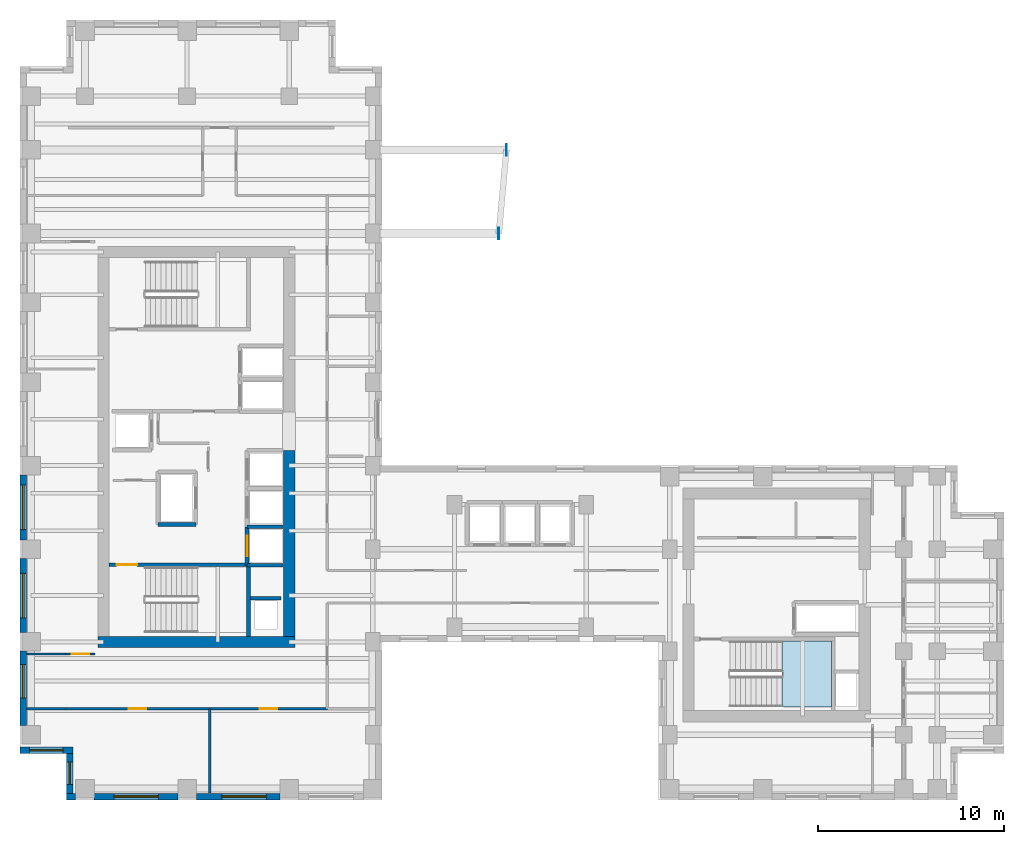
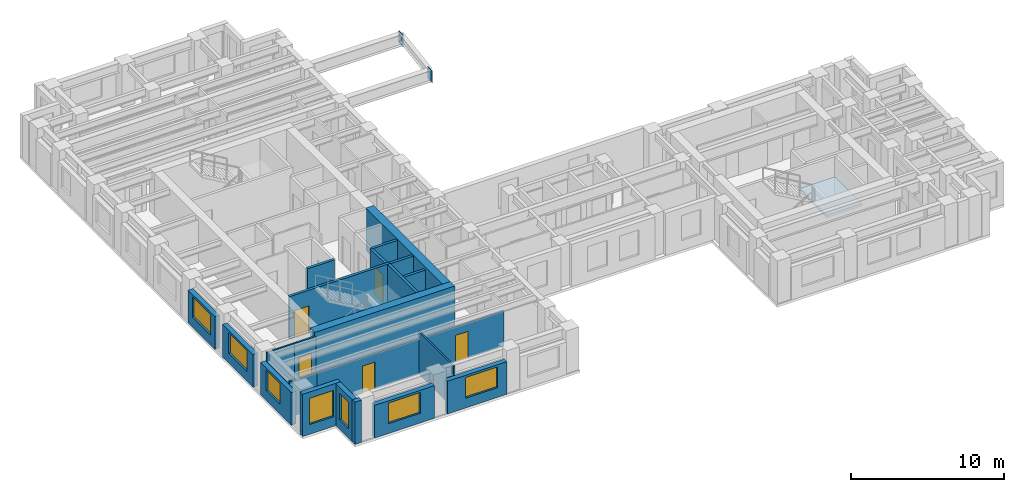
# One storey, part 5 of 13: 23 walls, 7 windows, 5 doors, 2 plates, 1 slab, 12 openings, 1 element without a shape of its own.
"""IFC4 building model written with IfcOpenShell, lengths in metres."""

from ifc_helpers import new_model, si_unit, direction, frame, frame_2d, origin, origin_2d, place, context, subcontext, project, spatial, polyline, rectangle, outline, extrude, source, transform, mapped, material, layer, layer_set, type_object, element, fill, aggregate, save


model = new_model("IFC4")

# Units and contexts
model_context = context("Model", 3, precision=1e-05, world=origin(), true_north=direction((0.0, 1.0)))
body_context = subcontext(model_context, "Body", "Model", "MODEL_VIEW")
ifc_project = project(units=[si_unit("LENGTHUNIT", "METRE"), si_unit("AREAUNIT", "SQUARE_METRE"), si_unit("VOLUMEUNIT", "CUBIC_METRE"), si_unit("PLANEANGLEUNIT", "RADIAN"), si_unit("MASSUNIT", "GRAM", prefix="KILO")], contexts=[model_context])

# Site, building, storey
site_placement = place(None, origin())
site = spatial("IfcSite", under=ifc_project, at=site_placement, CompositionType="ELEMENT")
building_placement = place(site_placement, origin())
building = spatial("IfcBuilding", under=site, at=building_placement, Name="Kharzan Plaza Tower", CompositionType="ELEMENT")
storey_placement = place(building_placement, frame((0.0, 0.0, 153.89990234375)))
storey = spatial("IfcBuildingStorey", under=building, at=storey_placement, Name="L41", CompositionType="ELEMENT", Elevation=153.89990234375)

# Stair, slab
ifc_material_1 = material(Name="Concrete C40/50", Category="concrete")
stair_type = type_object("IfcStairType", Name="STR-ST-3", PredefinedType="HALF_TURN_STAIR", material=ifc_material_1)
stair_placement = place(storey_placement, origin())
stair = element("IfcStair", 1, at=stair_placement, inside=storey, type_object=stair_type, Name="L41 Protected Exit Stair ST-3", PredefinedType="HALF_TURN_STAIR")
ifc_layer_1 = layer(ifc_material_1, 0.219970703125)
ifc_layer_set_1 = layer_set([ifc_layer_1], Name="Concrete C40/50")
slab_type = type_object("IfcSlabType", Name="SL-LANDING-220", PredefinedType="LANDING", material=ifc_layer_set_1)
slab_placement = place(storey_placement, frame((0.0, 0.0, 1.60009765625)))
slab = element("IfcSlab", 2, at=slab_placement, type_object=slab_type, Name="ST-3 landing 1", PredefinedType="LANDING", context=body_context, shape_type="SweptSolid", body=[
    extrude(outline(polyline([(41.050048828125, 5.0), (43.699951171875, 5.0), (43.699951171875, 8.550048828125), (41.050048828125, 8.550048828125), (41.050048828125, 5.0)])), origin(), (0.0, 0.0, 1.0), 0.199951171875),
])
aggregate(stair, [slab])

# Plates
ifc_material_2 = material(Name="Steel S460", Category="steel")
ifc_layer_2 = layer(ifc_material_2, 0.0419921875)
ifc_layer_set_2 = layer_set([ifc_layer_2], Name="Steel S460")
plate_type = type_object("IfcPlateType", Name="PLT-ZTN1", PredefinedType="USERDEFINED", material=ifc_layer_set_2)
shared_shape_1 = source(origin(), body_context, "Body", "SweptSolid", [
    extrude(rectangle(XDim=0.60009765625, YDim=0.0419921875, at=origin_2d()), origin(), (0.0, 0.0, 1.0), 0.949951171875),
])
for number, where, z_axis, x_axis, name in (
    (3, (25.7900390625, 30.5, 2.44140625), (0.0, 0.0, 1.0), (0.0, 1.0, 0.0), "L41 Sky-Terrace Cantilever Tip Plate ZTN1"),
    (4, (26.199951171875, 35.0, 2.44140625), (0.0, 0.0, 1.0), (0.0, 1.0, 0.0), "L41 Sky-Terrace Cantilever Tip Plate ZTN1"),
):
    element("IfcPlate", number, at=place(storey_placement, frame(where, z_axis=z_axis, x_axis=x_axis)), inside=storey, type_object=plate_type, Name=name, ObjectType="FLANGE_PLATE", PredefinedType="USERDEFINED", context=body_context, shape_type="MappedRepresentation", body=[
        mapped(shared_shape_1, transform((0.0, 0.0, 0.0), x_axis=(1.0, 0.0, 0.0), y_axis=(0.0, 1.0, 0.0), z_axis=(0.0, 0.0, 1.0))),
    ])

# Wall, opening, window
ifc_layer_3 = layer(ifc_material_1, 0.35009765625)
ifc_layer_set_3 = layer_set([ifc_layer_3], Name="Concrete C40/50")
wall_type_1 = type_object("IfcWallType", Name="WL-EXT-MAS-Z3", PredefinedType="SOLIDWALL", material=ifc_layer_set_3)
wall_1_placement = place(storey_placement, frame((0.175048828125, 17.501953125, 0.0), z_axis=(0.0, 0.0, 1.0), x_axis=(0.0, -1.0, 0.0)))
wall_1 = element("IfcWall", 5, at=wall_1_placement, inside=storey, type_object=wall_type_1, Name="L41 Masonry-Frame Exterior Wall 15", PredefinedType="SOLIDWALL", context=body_context, shape_type="SweptSolid", body=[
    extrude(rectangle(XDim=3.50390625, YDim=0.35009765625, at=frame_2d((1.751953125, 0.0))), origin(), (0.0, 0.0, 1.0), 2.612060546875),
])
opening_1_placement = place(wall_1_placement, frame((0.552001953125, 0.0, 0.780029296875)))
opening_1 = element("IfcOpeningElement", 6, at=opening_1_placement, cuts=wall_1, Name="Opening W2", PredefinedType="OPENING", context=body_context, shape_type="SweptSolid", body=[
    extrude(rectangle(XDim=2.39990234375, YDim=1.652099609375, at=frame_2d((1.199951171875, 0.826171875))), frame((0.0, 0.18505859375, 0.0), z_axis=(0.0, -1.0, 0.0), x_axis=(1.0, 0.0, 0.0)), (0.0, 0.0, 1.0), 0.3701171875),
])
ifc_material_3 = material(Name="Low-E Double Glazing", Category="glass")
window_type_1 = type_object("IfcWindowType", Name="WN-REC-2400x2100", PartitioningType="SINGLE_PANEL", PredefinedType="WINDOW", material=ifc_material_3)
shared_shape_2 = source(origin(), body_context, "Body", "SweptSolid", [
    extrude(rectangle(XDim=2.39990234375, YDim=1.652099609375, at=frame_2d((1.199951171875, 0.826171875))), frame((0.0, 0.030029296875, 0.0), z_axis=(0.0, -1.0, 0.0), x_axis=(1.0, 0.0, 0.0)), (0.0, 0.0, 1.0), 0.06005859375),
])
window_1_placement = place(opening_1_placement, origin())
window_1 = element("IfcWindow", 7, at=window_1_placement, inside=storey, type_object=window_type_1, Name="L41 Wide Recessed Solar-Control Window 15-1", OverallHeight=1.652099609375, OverallWidth=2.39990234375, PartitioningType="SINGLE_PANEL", PredefinedType="WINDOW", context=body_context, shape_type="MappedRepresentation", body=[
    mapped(shared_shape_2, transform((0.0, 0.0, 0.0), x_axis=(1.0, 0.0, 0.0), y_axis=(0.0, 1.0, 0.0), z_axis=(0.0, 0.0, 1.0))),
])
fill(opening_1, window_1)

wall_2_placement = place(storey_placement, frame((0.175048828125, 13.001953125, 0.0), z_axis=(0.0, 0.0, 1.0), x_axis=(0.0, -1.0, 0.0)))
wall_2 = element("IfcWall", 8, at=wall_2_placement, inside=storey, type_object=wall_type_1, Name="L41 Masonry-Frame Exterior Wall 16", PredefinedType="SOLIDWALL", context=body_context, shape_type="SweptSolid", body=[
    extrude(rectangle(XDim=4.00390625, YDim=0.35009765625, at=frame_2d((2.001953125, 0.0))), origin(), (0.0, 0.0, 1.0), 2.612060546875),
])
opening_2_placement = place(wall_2_placement, frame((0.802001953125, 0.0, 0.780029296875)))
opening_2 = element("IfcOpeningElement", 9, at=opening_2_placement, cuts=wall_2, Name="Opening W2", PredefinedType="OPENING", context=body_context, shape_type="SweptSolid", body=[
    extrude(rectangle(XDim=2.39990234375, YDim=1.652099609375, at=frame_2d((1.199951171875, 0.826171875))), frame((0.0, 0.18505859375, 0.0), z_axis=(0.0, -1.0, 0.0), x_axis=(1.0, 0.0, 0.0)), (0.0, 0.0, 1.0), 0.3701171875),
])
window_2_placement = place(opening_2_placement, origin())
window_2 = element("IfcWindow", 10, at=window_2_placement, inside=storey, type_object=window_type_1, Name="L41 Wide Recessed Solar-Control Window 16-1", OverallHeight=1.652099609375, OverallWidth=2.39990234375, PartitioningType="SINGLE_PANEL", PredefinedType="WINDOW", context=body_context, shape_type="MappedRepresentation", body=[
    mapped(shared_shape_2, transform((0.0, 0.0, 0.0), x_axis=(1.0, 0.0, 0.0), y_axis=(0.0, 1.0, 0.0), z_axis=(0.0, 0.0, 1.0))),
])
fill(opening_2, window_2)

wall_3_placement = place(storey_placement, frame((0.175048828125, 8.001953125, 0.0), z_axis=(0.0, 0.0, 1.0), x_axis=(0.0, -1.0, 0.0)))
wall_3 = element("IfcWall", 11, at=wall_3_placement, inside=storey, type_object=wall_type_1, Name="L41 Masonry-Frame Exterior Wall 17", PredefinedType="SOLIDWALL", context=body_context, shape_type="SweptSolid", body=[
    extrude(rectangle(XDim=4.00390625, YDim=0.35009765625, at=frame_2d((2.001953125, 0.0))), origin(), (0.0, 0.0, 1.0), 2.612060546875),
])
opening_3_placement = place(wall_3_placement, frame((0.72705078125, 0.0, 0.780029296875)))
opening_3 = element("IfcOpeningElement", 12, at=opening_3_placement, cuts=wall_3, Name="Opening W1", PredefinedType="OPENING", context=body_context, shape_type="SweptSolid", body=[
    extrude(rectangle(XDim=1.800048828125, YDim=1.652099609375, at=frame_2d((0.89990234375, 0.826171875))), frame((0.0, 0.18505859375, 0.0), z_axis=(0.0, -1.0, 0.0), x_axis=(1.0, 0.0, 0.0)), (0.0, 0.0, 1.0), 0.3701171875),
])
window_type_2 = type_object("IfcWindowType", Name="WN-REC-1800x2100", PartitioningType="SINGLE_PANEL", PredefinedType="WINDOW", material=ifc_material_3)
shared_shape_3 = source(origin(), body_context, "Body", "SweptSolid", [
    extrude(rectangle(XDim=1.800048828125, YDim=1.652099609375, at=frame_2d((0.89990234375, 0.826171875))), frame((0.0, 0.030029296875, 0.0), z_axis=(0.0, -1.0, 0.0), x_axis=(1.0, 0.0, 0.0)), (0.0, 0.0, 1.0), 0.06005859375),
])
window_3_placement = place(opening_3_placement, origin())
window_3 = element("IfcWindow", 13, at=window_3_placement, inside=storey, type_object=window_type_2, Name="L41 Recessed Solar-Control Window 17-1", OverallHeight=1.652099609375, OverallWidth=1.800048828125, PartitioningType="SINGLE_PANEL", PredefinedType="WINDOW", context=body_context, shape_type="MappedRepresentation", body=[
    mapped(shared_shape_3, transform((0.0, 0.0, 0.0), x_axis=(1.0, 0.0, 0.0), y_axis=(0.0, 1.0, 0.0), z_axis=(0.0, 0.0, 1.0))),
])
fill(opening_3, window_3)

wall_4_placement = place(storey_placement, frame((0.0, 2.675048828125, 0.0), z_axis=(0.0, 0.0, 1.0), x_axis=(1.0, 0.0, 0.0)))
wall_4 = element("IfcWall", 14, at=wall_4_placement, inside=storey, type_object=wall_type_1, Name="L41 Masonry-Frame Exterior Wall 18", PredefinedType="SOLIDWALL", context=body_context, shape_type="SweptSolid", body=[
    extrude(rectangle(XDim=2.85009765625, YDim=0.35009765625, at=frame_2d((1.425048828125, 0.0))), origin(), (0.0, 0.0, 1.0), 3.385009765625),
])
opening_4_placement = place(wall_4_placement, frame((0.52490234375, 0.0, 0.780029296875)))
opening_4 = element("IfcOpeningElement", 15, at=opening_4_placement, cuts=wall_4, Name="Opening W1", PredefinedType="OPENING", context=body_context, shape_type="SweptSolid", body=[
    extrude(rectangle(XDim=1.800048828125, YDim=2.10009765625, at=frame_2d((0.89990234375, 1.050048828125))), frame((0.0, 0.18505859375, 0.0), z_axis=(0.0, -1.0, 0.0), x_axis=(1.0, 0.0, 0.0)), (0.0, 0.0, 1.0), 0.3701171875),
])
shared_shape_4 = source(origin(), body_context, "Body", "SweptSolid", [
    extrude(rectangle(XDim=1.800048828125, YDim=2.10009765625, at=frame_2d((0.89990234375, 1.050048828125))), frame((0.0, 0.030029296875, 0.0), z_axis=(0.0, -1.0, 0.0), x_axis=(1.0, 0.0, 0.0)), (0.0, 0.0, 1.0), 0.06005859375),
])
window_4_placement = place(opening_4_placement, origin())
window_4 = element("IfcWindow", 16, at=window_4_placement, inside=storey, type_object=window_type_2, Name="L41 Recessed Solar-Control Window 18-1", OverallHeight=2.10009765625, OverallWidth=1.800048828125, PartitioningType="SINGLE_PANEL", PredefinedType="WINDOW", context=body_context, shape_type="MappedRepresentation", body=[
    mapped(shared_shape_4, transform((0.0, 0.0, 0.0), x_axis=(1.0, 0.0, 0.0), y_axis=(0.0, 1.0, 0.0), z_axis=(0.0, 0.0, 1.0))),
])
fill(opening_4, window_4)

wall_5_placement = place(storey_placement, frame((2.675048828125, 2.501953125, 0.0), z_axis=(0.0, 0.0, 1.0), x_axis=(0.0, -1.0, 0.0)))
wall_5 = element("IfcWall", 17, at=wall_5_placement, inside=storey, type_object=wall_type_1, Name="L41 Masonry-Frame Exterior Wall 19", PredefinedType="SOLIDWALL", context=body_context, shape_type="SweptSolid", body=[
    extrude(rectangle(XDim=2.154052734375, YDim=0.35009765625, at=frame_2d((1.0771484375, 0.0))), origin(), (0.0, 0.0, 1.0), 3.385009765625),
])
opening_5_placement = place(wall_5_placement, frame((0.47705078125, 0.0, 0.780029296875)))
opening_5 = element("IfcOpeningElement", 18, at=opening_5_placement, cuts=wall_5, Name="Opening W3", PredefinedType="OPENING", context=body_context, shape_type="SweptSolid", body=[
    extrude(rectangle(XDim=1.199951171875, YDim=2.10009765625, at=frame_2d((0.60009765625, 1.050048828125))), frame((0.0, 0.18505859375, 0.0), z_axis=(0.0, -1.0, 0.0), x_axis=(1.0, 0.0, 0.0)), (0.0, 0.0, 1.0), 0.3701171875),
])
window_type_3 = type_object("IfcWindowType", Name="WN-REC-1200x2100", PartitioningType="SINGLE_PANEL", PredefinedType="WINDOW", material=ifc_material_3)
shared_shape_5 = source(origin(), body_context, "Body", "SweptSolid", [
    extrude(rectangle(XDim=1.199951171875, YDim=2.10009765625, at=frame_2d((0.60009765625, 1.050048828125))), frame((0.0, 0.030029296875, 0.0), z_axis=(0.0, -1.0, 0.0), x_axis=(1.0, 0.0, 0.0)), (0.0, 0.0, 1.0), 0.06005859375),
])
window_5_placement = place(opening_5_placement, origin())
window_5 = element("IfcWindow", 19, at=window_5_placement, inside=storey, type_object=window_type_3, Name="L41 Recessed Solar-Control Window 19-1", OverallHeight=2.10009765625, OverallWidth=1.199951171875, PartitioningType="SINGLE_PANEL", PredefinedType="WINDOW", context=body_context, shape_type="MappedRepresentation", body=[
    mapped(shared_shape_5, transform((0.0, 0.0, 0.0), x_axis=(1.0, 0.0, 0.0), y_axis=(0.0, 1.0, 0.0), z_axis=(0.0, 0.0, 1.0))),
])
fill(opening_5, window_5)

wall_6_placement = place(storey_placement, frame((3.998046875, 0.175048828125, 0.0), z_axis=(0.0, 0.0, 1.0), x_axis=(1.0, 0.0, 0.0)))
wall_6 = element("IfcWall", 20, at=wall_6_placement, inside=storey, type_object=wall_type_1, Name="L41 Masonry-Frame Exterior Wall 21", PredefinedType="SOLIDWALL", context=body_context, shape_type="SweptSolid", body=[
    extrude(rectangle(XDim=4.50390625, YDim=0.35009765625, at=frame_2d((2.251953125, 0.0))), origin(), (0.0, 0.0, 1.0), 2.612060546875),
])
opening_6_placement = place(wall_6_placement, frame((1.052001953125, 0.0, 0.780029296875)))
opening_6 = element("IfcOpeningElement", 21, at=opening_6_placement, cuts=wall_6, Name="Opening W2", PredefinedType="OPENING", context=body_context, shape_type="SweptSolid", body=[
    extrude(rectangle(XDim=2.39990234375, YDim=1.652099609375, at=frame_2d((1.199951171875, 0.826171875))), frame((0.0, 0.18505859375, 0.0), z_axis=(0.0, -1.0, 0.0), x_axis=(1.0, 0.0, 0.0)), (0.0, 0.0, 1.0), 0.3701171875),
])
window_6_placement = place(opening_6_placement, origin())
window_6 = element("IfcWindow", 22, at=window_6_placement, inside=storey, type_object=window_type_1, Name="L41 Wide Recessed Solar-Control Window 21-1", OverallHeight=1.652099609375, OverallWidth=2.39990234375, PartitioningType="SINGLE_PANEL", PredefinedType="WINDOW", context=body_context, shape_type="MappedRepresentation", body=[
    mapped(shared_shape_2, transform((0.0, 0.0, 0.0), x_axis=(1.0, 0.0, 0.0), y_axis=(0.0, 1.0, 0.0), z_axis=(0.0, 0.0, 1.0))),
])
fill(opening_6, window_6)

wall_7_placement = place(storey_placement, frame((9.498046875, 0.175048828125, 0.0), z_axis=(0.0, 0.0, 1.0), x_axis=(1.0, 0.0, 0.0)))
wall_7 = element("IfcWall", 23, at=wall_7_placement, inside=storey, type_object=wall_type_1, Name="L41 Masonry-Frame Exterior Wall 22", PredefinedType="SOLIDWALL", context=body_context, shape_type="SweptSolid", body=[
    extrude(rectangle(XDim=4.50390625, YDim=0.35009765625, at=frame_2d((2.251953125, 0.0))), origin(), (0.0, 0.0, 1.0), 2.612060546875),
])
opening_7_placement = place(wall_7_placement, frame((1.37451171875, 0.0, 0.780029296875)))
opening_7 = element("IfcOpeningElement", 24, at=opening_7_placement, cuts=wall_7, Name="Opening W2", PredefinedType="OPENING", context=body_context, shape_type="SweptSolid", body=[
    extrude(rectangle(XDim=2.39990234375, YDim=1.652099609375, at=frame_2d((1.199951171875, 0.826171875))), frame((0.0, 0.18505859375, 0.0), z_axis=(0.0, -1.0, 0.0), x_axis=(1.0, 0.0, 0.0)), (0.0, 0.0, 1.0), 0.3701171875),
])
window_7_placement = place(opening_7_placement, origin())
window_7 = element("IfcWindow", 25, at=window_7_placement, inside=storey, type_object=window_type_1, Name="L41 Wide Recessed Solar-Control Window 22-1", OverallHeight=1.652099609375, OverallWidth=2.39990234375, PartitioningType="SINGLE_PANEL", PredefinedType="WINDOW", context=body_context, shape_type="MappedRepresentation", body=[
    mapped(shared_shape_2, transform((0.0, 0.0, 0.0), x_axis=(1.0, 0.0, 0.0), y_axis=(0.0, 1.0, 0.0), z_axis=(0.0, 0.0, 1.0))),
])
fill(opening_7, window_7)

# Wall, opening, door
ifc_material_4 = material(Name="Fire-Rated Gypsum Board Partition", Category="gypsum")
ifc_layer_4 = layer(ifc_material_4, 0.125)
ifc_layer_set_4 = layer_set([ifc_layer_4], Name="Fire-Rated Gypsum Board Partition")
wall_type_2 = type_object("IfcWallType", Name="WL-INT-PART-125", PredefinedType="PARTITIONING", material=ifc_layer_set_4)
wall_8_placement = place(storey_placement, frame((2.449951171875, 7.85009765625, 0.0), z_axis=(0.0, 0.0, 1.0), x_axis=(1.0, 0.0, 0.0)))
wall_8 = element("IfcWall", 26, at=wall_8_placement, inside=storey, type_object=wall_type_2, Name="L41 Interior Partition SH-RWSD", PredefinedType="PARTITIONING", context=body_context, shape_type="SweptSolid", body=[
    extrude(rectangle(XDim=1.60009765625, YDim=0.125, at=frame_2d((0.800048828125, 0.0))), origin(), (0.0, 0.0, 1.0), 3.385009765625),
])
opening_8_placement = place(wall_8_placement, frame((0.324951171875, 0.0, 0.0)))
opening_8 = element("IfcOpeningElement", 27, at=opening_8_placement, cuts=wall_8, Name="Opening OD1", PredefinedType="OPENING", context=body_context, shape_type="SweptSolid", body=[
    extrude(rectangle(XDim=0.949951171875, YDim=2.14990234375, at=frame_2d((0.47509765625, 1.074951171875))), frame((0.0, 0.072509765625, 0.0), z_axis=(0.0, -1.0, 0.0), x_axis=(1.0, 0.0, 0.0)), (0.0, 0.0, 1.0), 0.14501953125),
])
ifc_material_5 = material(Name="Acoustic Solid-Core Stained Oak", Category="timber")
door_type_1 = type_object("IfcDoorType", Name="DR-OFF-SINGLE", OperationType="NOTDEFINED", PredefinedType="DOOR", material=ifc_material_5)
shared_shape_6 = source(origin(), body_context, "Body", "SweptSolid", [
    extrude(rectangle(XDim=0.949951171875, YDim=2.14990234375, at=frame_2d((0.47509765625, 1.074951171875))), frame((0.0, 0.02490234375, 0.0), z_axis=(0.0, -1.0, 0.0), x_axis=(1.0, 0.0, 0.0)), (0.0, 0.0, 1.0), 0.050048828125),
])
door_1_placement = place(opening_8_placement, origin())
door_1 = element("IfcDoor", 28, at=door_1_placement, inside=storey, type_object=door_type_1, Name="L41 West Office 1 Door", OperationType="SINGLE_SWING_RIGHT", OverallHeight=2.14990234375, OverallWidth=0.949951171875, PredefinedType="DOOR", context=body_context, shape_type="MappedRepresentation", body=[
    mapped(shared_shape_6, transform((0.0, 0.0, 0.0), x_axis=(1.0, 0.0, 0.0), y_axis=(0.0, 1.0, 0.0), z_axis=(0.0, 0.0, 1.0))),
])
fill(opening_8, door_1)

wall_9_placement = place(storey_placement, frame((2.449951171875, 4.89990234375, 0.0), z_axis=(0.0, 0.0, 1.0), x_axis=(1.0, 0.0, 0.0)))
wall_9 = element("IfcWall", 29, at=wall_9_placement, inside=storey, type_object=wall_type_2, Name="L41 Interior Partition SH-SS-1", PredefinedType="PARTITIONING", context=body_context, shape_type="SweptSolid", body=[
    extrude(rectangle(XDim=7.762939453125, YDim=0.125, at=frame_2d((3.88134765625, 0.0))), origin(), (0.0, 0.0, 1.0), 2.84814453125),
])
opening_9_placement = place(wall_9_placement, frame((3.406494140625, 0.0, 0.0)))
opening_9 = element("IfcOpeningElement", 30, at=opening_9_placement, cuts=wall_9, Name="Opening OD1", PredefinedType="OPENING", context=body_context, shape_type="SweptSolid", body=[
    extrude(rectangle(XDim=0.949951171875, YDim=2.14990234375, at=frame_2d((0.47509765625, 1.074951171875))), frame((0.0, 0.072509765625, 0.0), z_axis=(0.0, -1.0, 0.0), x_axis=(1.0, 0.0, 0.0)), (0.0, 0.0, 1.0), 0.14501953125),
])
door_2_placement = place(opening_9_placement, origin())
door_2 = element("IfcDoor", 31, at=door_2_placement, inside=storey, type_object=door_type_1, Name="L41 General Counsel Office Door", OperationType="SINGLE_SWING_RIGHT", OverallHeight=2.14990234375, OverallWidth=0.949951171875, PredefinedType="DOOR", context=body_context, shape_type="MappedRepresentation", body=[
    mapped(shared_shape_6, transform((0.0, 0.0, 0.0), x_axis=(1.0, 0.0, 0.0), y_axis=(0.0, 1.0, 0.0), z_axis=(0.0, 0.0, 1.0))),
])
fill(opening_9, door_2)

wall_10_placement = place(storey_placement, frame((10.212890625, 4.89990234375, 0.0), z_axis=(0.0, 0.0, 1.0), x_axis=(1.0, 0.0, 0.0)))
wall_10 = element("IfcWall", 32, at=wall_10_placement, inside=storey, type_object=wall_type_2, Name="L41 Interior Partition SH-SS-2", PredefinedType="PARTITIONING", context=body_context, shape_type="SweptSolid", body=[
    extrude(rectangle(XDim=6.337158203125, YDim=0.125, at=frame_2d((3.16845703125, 0.0))), origin(), (0.0, 0.0, 1.0), 2.84814453125),
])
opening_10_placement = place(wall_10_placement, frame((2.693603515625, 0.0, 0.0)))
opening_10 = element("IfcOpeningElement", 33, at=opening_10_placement, cuts=wall_10, Name="Opening OD1", PredefinedType="OPENING", context=body_context, shape_type="SweptSolid", body=[
    extrude(rectangle(XDim=0.949951171875, YDim=2.14990234375, at=frame_2d((0.47509765625, 1.074951171875))), frame((0.0, 0.072509765625, 0.0), z_axis=(0.0, -1.0, 0.0), x_axis=(1.0, 0.0, 0.0)), (0.0, 0.0, 1.0), 0.14501953125),
])
door_3_placement = place(opening_10_placement, origin())
door_3 = element("IfcDoor", 34, at=door_3_placement, inside=storey, type_object=door_type_1, Name="L41 Legal Research Office Door", OperationType="SINGLE_SWING_LEFT", OverallHeight=2.14990234375, OverallWidth=0.949951171875, PredefinedType="DOOR", context=body_context, shape_type="MappedRepresentation", body=[
    mapped(shared_shape_6, transform((0.0, 0.0, 0.0), x_axis=(1.0, 0.0, 0.0), y_axis=(0.0, 1.0, 0.0), z_axis=(0.0, 0.0, 1.0))),
])
fill(opening_10, door_3)

ifc_layer_5 = layer(ifc_material_1, 0.199951171875)
ifc_layer_set_5 = layer_set([ifc_layer_5], Name="Concrete C40/50")
wall_type_3 = type_object("IfcWallType", Name="WL-INT-SHAFT-200", PredefinedType="PARTITIONING", material=ifc_layer_set_5)
wall_11_placement = place(storey_placement, frame((12.22998046875, 12.6298828125, 0.0), z_axis=(0.0, 0.0, 1.0), x_axis=(0.0, 1.0, 0.0)))
wall_11 = element("IfcWall", 35, at=wall_11_placement, inside=storey, type_object=wall_type_3, Name="L41 Interior Partition SHF-PL-H1-W", PredefinedType="PARTITIONING", context=body_context, shape_type="SweptSolid", body=[
    extrude(rectangle(XDim=2.070068359375, YDim=0.199951171875, at=frame_2d((1.03515625, 0.0))), origin(), (0.0, 0.0, 1.0), 3.385009765625),
])
opening_11_placement = place(wall_11_placement, frame((0.485107421875, 0.0, 0.0)))
opening_11 = element("IfcOpeningElement", 36, at=opening_11_placement, cuts=wall_11, Name="Opening LD", PredefinedType="OPENING", context=body_context, shape_type="SweptSolid", body=[
    extrude(rectangle(XDim=1.10009765625, YDim=2.199951171875, at=frame_2d((0.550048828125, 1.10009765625))), frame((0.0, 0.10986328125, 0.0), z_axis=(0.0, -1.0, 0.0), x_axis=(1.0, 0.0, 0.0)), (0.0, 0.0, 1.0), 0.219970703125),
])
ifc_material_6 = material(Name="Brushed Stainless Steel", Category="steel")
door_type_2 = type_object("IfcDoorType", Name="DR-LIFT-SLIDE", OperationType="SLIDING_TO_LEFT", PredefinedType="DOOR", material=ifc_material_6)
shared_shape_7 = source(origin(), body_context, "Body", "SweptSolid", [
    extrude(rectangle(XDim=1.10009765625, YDim=2.199951171875, at=frame_2d((0.550048828125, 1.10009765625))), frame((0.0, 0.02490234375, 0.0), z_axis=(0.0, -1.0, 0.0), x_axis=(1.0, 0.0, 0.0)), (0.0, 0.0, 1.0), 0.050048828125),
])
door_4_placement = place(opening_11_placement, origin())
door_4 = element("IfcDoor", 37, at=door_4_placement, inside=storey, type_object=door_type_2, Name="L41 High-Rise Passenger Lift PL-H1 Sliding Landing Door", OperationType="SLIDING_TO_LEFT", OverallHeight=2.199951171875, OverallWidth=1.10009765625, PredefinedType="DOOR", context=body_context, shape_type="MappedRepresentation", body=[
    mapped(shared_shape_7, transform((0.0, 0.0, 0.0), x_axis=(1.0, 0.0, 0.0), y_axis=(0.0, 1.0, 0.0), z_axis=(0.0, 0.0, 1.0))),
])
fill(opening_11, door_4)

ifc_material_7 = material(Name="Concrete C50/60", Category="concrete")
ifc_layer_6 = layer(ifc_material_7, 0.199951171875)
ifc_layer_set_6 = layer_set([ifc_layer_6], Name="Concrete C50/60")
wall_type_4 = type_object("IfcWallType", Name="WL-SHAFT-RC200", PredefinedType="SHEAR", material=ifc_layer_set_6)
wall_12_placement = place(storey_placement, frame((4.802001953125, 12.655029296875, 0.0), z_axis=(0.0, 0.0, 1.0), x_axis=(1.0, 0.0, 0.0)))
wall_12 = element("IfcWall", 38, at=wall_12_placement, inside=storey, type_object=wall_type_4, Name="L41 Stair ST-1 North RC Shaft Wall", PredefinedType="SHEAR", context=body_context, shape_type="SweptSolid", body=[
    extrude(rectangle(XDim=7.60302734375, YDim=0.199951171875, at=frame_2d((3.801513671875, 0.0))), origin(), (0.0, 0.0, 1.0), 3.400146484375),
])
opening_12_placement = place(wall_12_placement, frame((0.39990234375, 0.0, 0.0)))
opening_12 = element("IfcOpeningElement", 39, at=opening_12_placement, cuts=wall_12, Name="Opening SD1", PredefinedType="OPENING", context=body_context, shape_type="SweptSolid", body=[
    extrude(rectangle(XDim=1.10009765625, YDim=2.14990234375, at=frame_2d((0.550048828125, 1.074951171875))), frame((0.0, 0.10986328125, 0.0), z_axis=(0.0, -1.0, 0.0), x_axis=(1.0, 0.0, 0.0)), (0.0, 0.0, 1.0), 0.219970703125),
])
ifc_material_8 = material(Name="Fire-Rated Hollow Galvanized Steel", Category="steel")
door_type_3 = type_object("IfcDoorType", Name="DR-STAIR-FD120", OperationType="NOTDEFINED", PredefinedType="DOOR", material=ifc_material_8)
shared_shape_8 = source(origin(), body_context, "Body", "SweptSolid", [
    extrude(rectangle(XDim=1.10009765625, YDim=2.14990234375, at=frame_2d((0.550048828125, 1.074951171875))), frame((0.0, 0.02490234375, 0.0), z_axis=(0.0, -1.0, 0.0), x_axis=(1.0, 0.0, 0.0)), (0.0, 0.0, 1.0), 0.050048828125),
])
door_5_placement = place(opening_12_placement, origin())
door_5 = element("IfcDoor", 40, at=door_5_placement, inside=storey, type_object=door_type_3, Name="L41 Stair ST-1 Fire Exit Door", OperationType="SINGLE_SWING_LEFT", OverallHeight=2.14990234375, OverallWidth=1.10009765625, PredefinedType="DOOR", context=body_context, shape_type="MappedRepresentation", body=[
    mapped(shared_shape_8, transform((0.0, 0.0, 0.0), x_axis=(1.0, 0.0, 0.0), y_axis=(0.0, 1.0, 0.0), z_axis=(0.0, 0.0, 1.0))),
])
fill(opening_12, door_5)

# Walls
shared_shape_9 = source(origin(), body_context, "Body", "SweptSolid", [
    extrude(rectangle(XDim=0.501953125, YDim=0.35009765625, at=frame_2d((0.2509765625, 0.0))), origin(), (0.0, 0.0, 1.0), 3.385009765625),
])
wall_13_placement = place(storey_placement, frame((2.5, 0.175048828125, 0.0), z_axis=(0.0, 0.0, 1.0), x_axis=(1.0, 0.0, 0.0)))
element("IfcWall", 41, at=wall_13_placement, inside=storey, type_object=wall_type_1, Name="L41 Masonry-Frame Exterior Wall 20", PredefinedType="SOLIDWALL", context=body_context, shape_type="MappedRepresentation", body=[
    mapped(shared_shape_9, transform((0.0, 0.0, 0.0), x_axis=(1.0, 0.0, 0.0), y_axis=(0.0, 1.0, 0.0), z_axis=(0.0, 0.0, 1.0))),
])
shared_shape_10 = source(origin(), body_context, "Body", "SweptSolid", [
    extrude(rectangle(XDim=2.097900390625, YDim=0.125, at=frame_2d((1.048828125, 0.0))), origin(), (0.0, 0.0, 1.0), 3.385009765625),
])
wall_14_placement = place(storey_placement, frame((0.35205078125, 7.85009765625, 0.0), z_axis=(0.0, 0.0, 1.0), x_axis=(1.0, 0.0, 0.0)))
element("IfcWall", 42, at=wall_14_placement, inside=storey, type_object=wall_type_2, Name="L41 Interior Partition SH-RWS0", PredefinedType="PARTITIONING", context=body_context, shape_type="MappedRepresentation", body=[
    mapped(shared_shape_10, transform((0.0, 0.0, 0.0), x_axis=(1.0, 0.0, 0.0), y_axis=(0.0, 1.0, 0.0), z_axis=(0.0, 0.0, 1.0))),
])
shared_shape_11 = source(origin(), body_context, "Body", "SweptSolid", [
    extrude(rectangle(XDim=1.630126953125, YDim=0.199951171875, at=frame_2d((0.81494140625, 0.0))), origin(), (0.0, 0.0, 1.0), 3.385009765625),
])
wall_15_placement = place(storey_placement, frame((12.419921875, 10.85009765625, 0.0), z_axis=(0.0, 0.0, 1.0), x_axis=(1.0, 0.0, 0.0)))
element("IfcWall", 43, at=wall_15_placement, inside=storey, type_object=wall_type_3, Name="L41 Interior Partition CA-RSRA-N", PredefinedType="PARTITIONING", context=body_context, shape_type="MappedRepresentation", body=[
    mapped(shared_shape_11, transform((0.0, 0.0, 0.0), x_axis=(1.0, 0.0, 0.0), y_axis=(0.0, 1.0, 0.0), z_axis=(0.0, 0.0, 1.0))),
])
shared_shape_12 = source(origin(), body_context, "Body", "SweptSolid", [
    extrude(rectangle(XDim=1.93994140625, YDim=0.199951171875, at=frame_2d((0.969970703125, 0.0))), origin(), (0.0, 0.0, 1.0), 3.385009765625),
])
for number, where, z_axis, x_axis, name in (
    (44, (12.22998046875, 14.699951171875, 0.0), (0.0, 0.0, 1.0), (1.0, 0.0, 0.0), "L41 Interior Partition SHF-PL-H1-N"),
    (45, (12.22998046875, 12.6298828125, 0.0), (0.0, 0.0, 1.0), (1.0, 0.0, 0.0), "L41 Interior Partition SHF-PL-H1-S"),
):
    element("IfcWall", number, at=place(storey_placement, frame(where, z_axis=z_axis, x_axis=x_axis)), inside=storey, type_object=wall_type_3, Name=name, PredefinedType="PARTITIONING", context=body_context, shape_type="MappedRepresentation", body=[
        mapped(shared_shape_12, transform((0.0, 0.0, 0.0), x_axis=(1.0, 0.0, 0.0), y_axis=(0.0, 1.0, 0.0), z_axis=(0.0, 0.0, 1.0))),
    ])
shared_shape_13 = source(origin(), body_context, "Body", "SweptSolid", [
    extrude(rectangle(XDim=2.0400390625, YDim=0.199951171875, at=frame_2d((1.02001953125, 0.0))), origin(), (0.0, 0.0, 1.0), 3.385009765625),
])
wall_16_placement = place(storey_placement, frame((7.429931640625, 14.830078125, 0.0), z_axis=(0.0, 0.0, 1.0), x_axis=(1.0, 0.0, 0.0)))
element("IfcWall", 46, at=wall_16_placement, inside=storey, type_object=wall_type_3, Name="L41 Interior Partition SHF-SVL-1-S", PredefinedType="PARTITIONING", context=body_context, shape_type="MappedRepresentation", body=[
    mapped(shared_shape_13, transform((0.0, 0.0, 0.0), x_axis=(1.0, 0.0, 0.0), y_axis=(0.0, 1.0, 0.0), z_axis=(0.0, 0.0, 1.0))),
])
ifc_layer_7 = layer(ifc_material_7, 0.60009765625)
ifc_layer_set_7 = layer_set([ifc_layer_7], Name="Concrete C50/60")
wall_type_5 = type_object("IfcWallType", Name="WL-CORE-600", PredefinedType="SHEAR", material=ifc_layer_set_7)
shared_shape_14 = source(origin(), body_context, "Body", "SweptSolid", [
    extrude(rectangle(XDim=10.02001953125, YDim=0.60009765625, at=frame_2d((5.010009765625, 0.0))), origin(), (0.0, 0.0, 1.0), 3.400146484375),
])
wall_17_placement = place(storey_placement, frame((14.5, 8.800048828125, 0.0), z_axis=(0.0, 0.0, 1.0), x_axis=(0.0, 1.0, 0.0)))
element("IfcWall", 47, at=wall_17_placement, inside=storey, type_object=wall_type_5, Name="L41 CORE-A east shear pier 1", PredefinedType="SHEAR", context=body_context, shape_type="MappedRepresentation", body=[
    mapped(shared_shape_14, transform((0.0, 0.0, 0.0), x_axis=(1.0, 0.0, 0.0), y_axis=(0.0, 1.0, 0.0), z_axis=(0.0, 0.0, 1.0))),
])
shared_shape_15 = source(origin(), body_context, "Body", "SweptSolid", [
    extrude(rectangle(XDim=10.60009765625, YDim=0.60009765625, at=frame_2d((5.300048828125, 0.0))), origin(), (0.0, 0.0, 1.0), 3.400146484375),
])
wall_18_placement = place(storey_placement, frame((4.199951171875, 8.5, 0.0), z_axis=(0.0, 0.0, 1.0), x_axis=(1.0, 0.0, 0.0)))
element("IfcWall", 48, at=wall_18_placement, inside=storey, type_object=wall_type_5, Name="L41 CORE-A south RC shear wall", PredefinedType="SHEAR", context=body_context, shape_type="MappedRepresentation", body=[
    mapped(shared_shape_15, transform((0.0, 0.0, 0.0), x_axis=(1.0, 0.0, 0.0), y_axis=(0.0, 1.0, 0.0), z_axis=(0.0, 0.0, 1.0))),
])
shared_shape_16 = source(origin(), body_context, "Body", "SweptSolid", [
    extrude(rectangle(XDim=3.7529296875, YDim=0.199951171875, at=frame_2d((1.87646484375, 0.0))), origin(), (0.0, 0.0, 1.0), 3.400146484375),
])
wall_19_placement = place(storey_placement, frame((12.304931640625, 8.802001953125, 0.0), z_axis=(0.0, 0.0, 1.0), x_axis=(0.0, 1.0, 0.0)))
element("IfcWall", 49, at=wall_19_placement, inside=storey, type_object=wall_type_4, Name="L41 Stair ST-1 East RC Shaft Wall", PredefinedType="SHEAR", context=body_context, shape_type="MappedRepresentation", body=[
    mapped(shared_shape_16, transform((0.0, 0.0, 0.0), x_axis=(1.0, 0.0, 0.0), y_axis=(0.0, 1.0, 0.0), z_axis=(0.0, 0.0, 1.0))),
])
shared_shape_17 = source(origin(), body_context, "Body", "SweptSolid", [
    extrude(rectangle(XDim=2.097900390625, YDim=0.125, at=frame_2d((1.048828125, 0.0))), origin(), (0.0, 0.0, 1.0), 2.84814453125),
])
wall_20_placement = place(storey_placement, frame((0.35205078125, 4.89990234375, 0.0), z_axis=(0.0, 0.0, 1.0), x_axis=(1.0, 0.0, 0.0)))
element("IfcWall", 50, at=wall_20_placement, inside=storey, type_object=wall_type_2, Name="L41 Interior Partition SH-SS-EXT", PredefinedType="PARTITIONING", context=body_context, shape_type="MappedRepresentation", body=[
    mapped(shared_shape_17, transform((0.0, 0.0, 0.0), x_axis=(1.0, 0.0, 0.0), y_axis=(0.0, 1.0, 0.0), z_axis=(0.0, 0.0, 1.0))),
])
shared_shape_18 = source(origin(), body_context, "Body", "SweptSolid", [
    extrude(rectangle(XDim=4.5478515625, YDim=0.125, at=frame_2d((2.27392578125, 0.0))), origin(), (0.0, 0.0, 1.0), 3.385009765625),
])
wall_21_placement = place(storey_placement, frame((10.212890625, 0.35205078125, 0.0), z_axis=(0.0, 0.0, 1.0), x_axis=(0.0, 1.0, 0.0)))
element("IfcWall", 51, at=wall_21_placement, inside=storey, type_object=wall_type_2, Name="L41 Interior Partition SH-SV-1", PredefinedType="PARTITIONING", context=body_context, shape_type="MappedRepresentation", body=[
    mapped(shared_shape_18, transform((0.0, 0.0, 0.0), x_axis=(1.0, 0.0, 0.0), y_axis=(0.0, 1.0, 0.0), z_axis=(0.0, 0.0, 1.0))),
])

save(model, "model.ifc")
